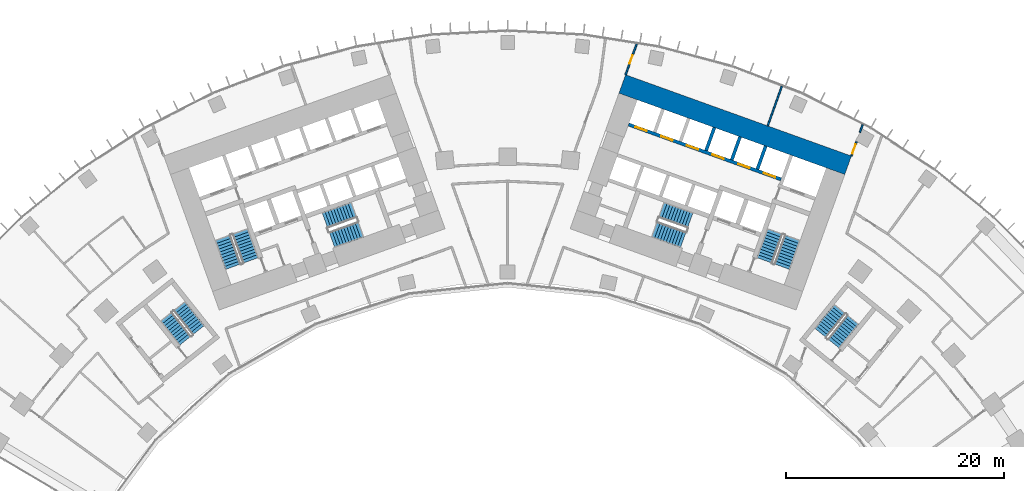
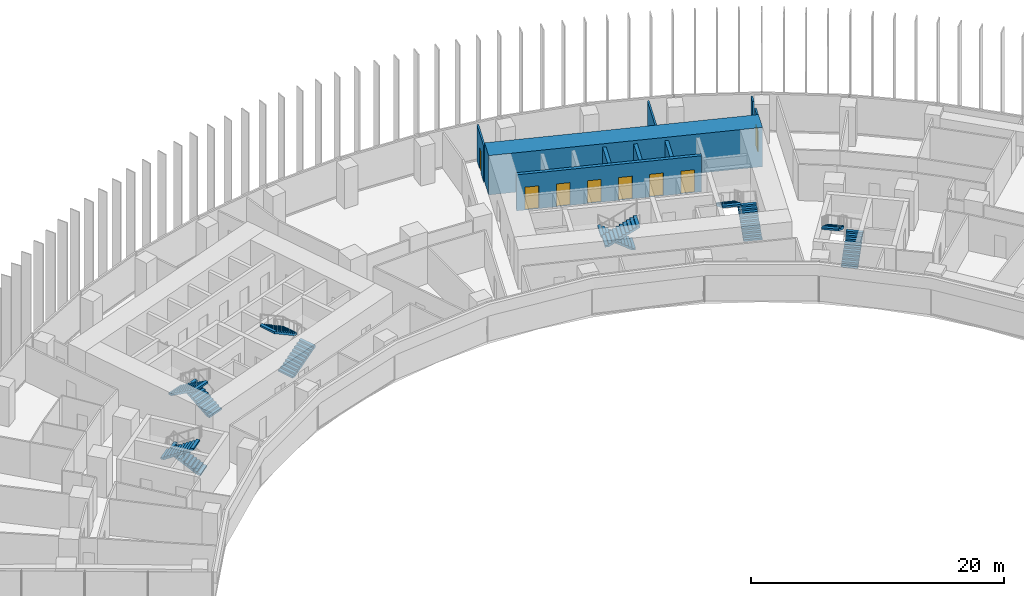
# One storey, part 22 of 24: 12 stair flights, 9 walls, 8 doors, 8 openings, 6 elements without a shape of their own.
"""IFC4 building model written with IfcOpenShell, lengths in metres."""

from ifc_helpers import new_model, si_unit, direction, frame, frame_2d, origin, place, context, subcontext, project, spatial, polyline, rectangle, outline, extrude, material, layer, layer_set, type_object, element, fill, aggregate, save


model = new_model("IFC4")

# Units and contexts
model_context = context("Model", 3, precision=1e-05, world=origin(), true_north=direction((0.0, 1.0)))
body_context = subcontext(model_context, "Body", "Model", "MODEL_VIEW")
ifc_project = project(units=[si_unit("LENGTHUNIT", "METRE"), si_unit("AREAUNIT", "SQUARE_METRE"), si_unit("VOLUMEUNIT", "CUBIC_METRE"), si_unit("PLANEANGLEUNIT", "RADIAN"), si_unit("MASSUNIT", "GRAM", prefix="KILO")], contexts=[model_context])

# Site, building, storey
site_placement = place(None, origin())
site = spatial("IfcSite", under=ifc_project, at=site_placement, CompositionType="ELEMENT")
building_placement = place(site_placement, origin())
building = spatial("IfcBuilding", under=site, at=building_placement, Name="Stone Belt Terrace Tower", CompositionType="ELEMENT")
storey_placement = place(building_placement, frame((0.0, 0.0, 41.39990234375)))
storey = spatial("IfcBuildingStorey", under=building, at=storey_placement, Name="L09", CompositionType="ELEMENT", Elevation=41.39990234375)

# Wall
ifc_material_1 = material(Name="Concrete B80", Category="concrete")
ifc_layer_1 = layer(ifc_material_1, 1.800048828125)
ifc_layer_set_1 = layer_set([ifc_layer_1], Name="Core wall 1800 B80")
wall_type_1 = type_object("IfcWallType", Name="Core wall 1800 B80", PredefinedType="SHEAR", material=ifc_layer_set_1)
wall_1_placement = place(storey_placement, frame((10.509033203125, 61.685546875, 0.0), z_axis=(0.0, 0.0, 1.0), x_axis=(0.940922914687, -0.338620833112, 0.0)))
element("IfcWall", 1, at=wall_1_placement, inside=storey, type_object=wall_type_1, Name="Core B wall convex L09", PredefinedType="SHEAR", context=body_context, shape_type="SweptSolid", body=[
    extrude(rectangle(XDim=22.000244140625, YDim=1.800048828125, at=frame_2d((11.0, 0.0))), origin(), (0.0, 0.0, 1.0), 3.800048828125),
])

# Wall, openings, doors
ifc_layer_2 = layer(ifc_material_1, 0.300048828125)
ifc_layer_set_2 = layer_set([ifc_layer_2], Name="Lift shaft wall 300")
wall_type_2 = type_object("IfcWallType", Name="Lift shaft wall 300", PredefinedType="SHEAR", material=ifc_layer_set_2)
wall_2_placement = place(storey_placement, frame((25.05810546875, 52.9423828125, 0.0), z_axis=(0.0, 0.0, 1.0), x_axis=(-0.940918215764, 0.338633889685, 0.0)))
wall_2 = element("IfcWall", 2, at=wall_2_placement, inside=storey, type_object=wall_type_2, Name="Core B wall", PredefinedType="SHEAR", context=body_context, shape_type="SweptSolid", body=[
    extrude(rectangle(XDim=14.850341796875, YDim=0.300048828125, at=frame_2d((7.42529296875, 0.0))), origin(), (0.0, 0.0, 1.0), 3.47998046875),
])
opening_1_placement = place(wall_2_placement, frame((0.570068359375, 0.0, 0.0)))
opening_1 = element("IfcOpeningElement", 3, at=opening_1_placement, cuts=wall_2, Name="Opening L09-LD10", PredefinedType="OPENING", context=body_context, shape_type="SweptSolid", body=[
    extrude(rectangle(XDim=1.10009765625, YDim=2.199951171875, at=frame_2d((0.550048828125, 1.10009765625))), frame((0.0, 0.159912109375, 0.0), z_axis=(0.0, -1.0, 0.0), x_axis=(1.0, 0.0, 0.0)), (0.0, 0.0, 1.0), 0.320068359375),
])
opening_2_placement = place(wall_2_placement, frame((3.070068359375, 0.0, 0.0)))
opening_2 = element("IfcOpeningElement", 4, at=opening_2_placement, cuts=wall_2, Name="Opening L09-LD11", PredefinedType="OPENING", context=body_context, shape_type="SweptSolid", body=[
    extrude(rectangle(XDim=1.10009765625, YDim=2.199951171875, at=frame_2d((0.550048828125, 1.10009765625))), frame((0.0, 0.159912109375, 0.0), z_axis=(0.0, -1.0, 0.0), x_axis=(1.0, 0.0, 0.0)), (0.0, 0.0, 1.0), 0.320068359375),
])
opening_3_placement = place(wall_2_placement, frame((5.570068359375, 0.0, 0.0)))
opening_3 = element("IfcOpeningElement", 5, at=opening_3_placement, cuts=wall_2, Name="Opening L09-LD12", PredefinedType="OPENING", context=body_context, shape_type="SweptSolid", body=[
    extrude(rectangle(XDim=1.10009765625, YDim=2.199951171875, at=frame_2d((0.550048828125, 1.10009765625))), frame((0.0, 0.159912109375, 0.0), z_axis=(0.0, -1.0, 0.0), x_axis=(1.0, 0.0, 0.0)), (0.0, 0.0, 1.0), 0.320068359375),
])
opening_4_placement = place(wall_2_placement, frame((8.070068359375, 0.0, 0.0)))
opening_4 = element("IfcOpeningElement", 6, at=opening_4_placement, cuts=wall_2, Name="Opening L09-LD13", PredefinedType="OPENING", context=body_context, shape_type="SweptSolid", body=[
    extrude(rectangle(XDim=1.10009765625, YDim=2.199951171875, at=frame_2d((0.550048828125, 1.10009765625))), frame((0.0, 0.159912109375, 0.0), z_axis=(0.0, -1.0, 0.0), x_axis=(1.0, 0.0, 0.0)), (0.0, 0.0, 1.0), 0.320068359375),
])
opening_5_placement = place(wall_2_placement, frame((10.570068359375, 0.0, 0.0)))
opening_5 = element("IfcOpeningElement", 7, at=opening_5_placement, cuts=wall_2, Name="Opening L09-LD14", PredefinedType="OPENING", context=body_context, shape_type="SweptSolid", body=[
    extrude(rectangle(XDim=1.10009765625, YDim=2.199951171875, at=frame_2d((0.550048828125, 1.10009765625))), frame((0.0, 0.159912109375, 0.0), z_axis=(0.0, -1.0, 0.0), x_axis=(1.0, 0.0, 0.0)), (0.0, 0.0, 1.0), 0.320068359375),
])
opening_6_placement = place(wall_2_placement, frame((13.070068359375, 0.0, 0.0)))
opening_6 = element("IfcOpeningElement", 8, at=opening_6_placement, cuts=wall_2, Name="Opening L09-LD15", PredefinedType="OPENING", context=body_context, shape_type="SweptSolid", body=[
    extrude(rectangle(XDim=1.10009765625, YDim=2.199951171875, at=frame_2d((0.550048828125, 1.10009765625))), frame((0.0, 0.159912109375, 0.0), z_axis=(0.0, -1.0, 0.0), x_axis=(1.0, 0.0, 0.0)), (0.0, 0.0, 1.0), 0.320068359375),
])
ifc_material_2 = material(Name="Stainless steel door leaf", Category="steel")
door_type_1 = type_object("IfcDoorType", Name="Landing door 1100", OperationType="SLIDING_TO_LEFT", PredefinedType="DOOR", material=ifc_material_2)
door_1_placement = place(opening_1_placement, origin())
door_1 = element("IfcDoor", 9, at=door_1_placement, inside=storey, type_object=door_type_1, Name="Landing door LR1 core B", OperationType="SLIDING_TO_LEFT", OverallHeight=2.199951171875, OverallWidth=1.10009765625, PredefinedType="DOOR", context=body_context, shape_type="SweptSolid", body=[
    extrude(rectangle(XDim=1.10009765625, YDim=2.199951171875, at=frame_2d((0.550048828125, 1.10009765625))), frame((0.0, 0.02490234375, 0.0), z_axis=(0.0, -1.0, 0.0), x_axis=(1.0, 0.0, 0.0)), (0.0, 0.0, 1.0), 0.050048828125),
])
fill(opening_1, door_1)
door_2_placement = place(opening_2_placement, origin())
door_2 = element("IfcDoor", 10, at=door_2_placement, inside=storey, type_object=door_type_1, Name="Landing door LR2 core B", OperationType="SLIDING_TO_LEFT", OverallHeight=2.199951171875, OverallWidth=1.10009765625, PredefinedType="DOOR", context=body_context, shape_type="SweptSolid", body=[
    extrude(rectangle(XDim=1.10009765625, YDim=2.199951171875, at=frame_2d((0.550048828125, 1.10009765625))), frame((0.0, 0.02490234375, 0.0), z_axis=(0.0, -1.0, 0.0), x_axis=(1.0, 0.0, 0.0)), (0.0, 0.0, 1.0), 0.050048828125),
])
fill(opening_2, door_2)
door_3_placement = place(opening_3_placement, origin())
door_3 = element("IfcDoor", 11, at=door_3_placement, inside=storey, type_object=door_type_1, Name="Landing door LR3 core B", OperationType="SLIDING_TO_LEFT", OverallHeight=2.199951171875, OverallWidth=1.10009765625, PredefinedType="DOOR", context=body_context, shape_type="SweptSolid", body=[
    extrude(rectangle(XDim=1.10009765625, YDim=2.199951171875, at=frame_2d((0.550048828125, 1.10009765625))), frame((0.0, 0.02490234375, 0.0), z_axis=(0.0, -1.0, 0.0), x_axis=(1.0, 0.0, 0.0)), (0.0, 0.0, 1.0), 0.050048828125),
])
fill(opening_3, door_3)
door_4_placement = place(opening_4_placement, origin())
door_4 = element("IfcDoor", 12, at=door_4_placement, inside=storey, type_object=door_type_1, Name="Landing door LR4 core B", OperationType="SLIDING_TO_LEFT", OverallHeight=2.199951171875, OverallWidth=1.10009765625, PredefinedType="DOOR", context=body_context, shape_type="SweptSolid", body=[
    extrude(rectangle(XDim=1.10009765625, YDim=2.199951171875, at=frame_2d((0.550048828125, 1.10009765625))), frame((0.0, 0.02490234375, 0.0), z_axis=(0.0, -1.0, 0.0), x_axis=(1.0, 0.0, 0.0)), (0.0, 0.0, 1.0), 0.050048828125),
])
fill(opening_4, door_4)
door_5_placement = place(opening_5_placement, origin())
door_5 = element("IfcDoor", 13, at=door_5_placement, inside=storey, type_object=door_type_1, Name="Landing door LR5 core B", OperationType="SLIDING_TO_LEFT", OverallHeight=2.199951171875, OverallWidth=1.10009765625, PredefinedType="DOOR", context=body_context, shape_type="SweptSolid", body=[
    extrude(rectangle(XDim=1.10009765625, YDim=2.199951171875, at=frame_2d((0.550048828125, 1.10009765625))), frame((0.0, 0.02490234375, 0.0), z_axis=(0.0, -1.0, 0.0), x_axis=(1.0, 0.0, 0.0)), (0.0, 0.0, 1.0), 0.050048828125),
])
fill(opening_5, door_5)
door_6_placement = place(opening_6_placement, origin())
door_6 = element("IfcDoor", 14, at=door_6_placement, inside=storey, type_object=door_type_1, Name="Landing door LR6 core B", OperationType="SLIDING_TO_LEFT", OverallHeight=2.199951171875, OverallWidth=1.10009765625, PredefinedType="DOOR", context=body_context, shape_type="SweptSolid", body=[
    extrude(rectangle(XDim=1.10009765625, YDim=2.199951171875, at=frame_2d((0.550048828125, 1.10009765625))), frame((0.0, 0.02490234375, 0.0), z_axis=(0.0, -1.0, 0.0), x_axis=(1.0, 0.0, 0.0)), (0.0, 0.0, 1.0), 0.050048828125),
])
fill(opening_6, door_6)

# Walls
wall_3_placement = place(storey_placement, frame((22.897705078125, 53.87939453125, 0.0), z_axis=(0.0, 0.0, 1.0), x_axis=(0.338535034312, 0.940953787677, 0.0)))
element("IfcWall", 15, at=wall_3_placement, inside=storey, type_object=wall_type_2, Name="Core B wall", PredefinedType="SHEAR", context=body_context, shape_type="SweptSolid", body=[
    extrude(rectangle(XDim=2.25, YDim=0.300048828125, at=frame_2d((1.125, 0.0))), origin(), (0.0, 0.0, 1.0), 3.47998046875),
])
wall_4_placement = place(storey_placement, frame((20.54541015625, 54.72607421875, 0.0), z_axis=(0.0, 0.0, 1.0), x_axis=(0.338569601369, 0.940941350472, 0.0)))
element("IfcWall", 16, at=wall_4_placement, inside=storey, type_object=wall_type_2, Name="Core B wall", PredefinedType="SHEAR", context=body_context, shape_type="SweptSolid", body=[
    extrude(rectangle(XDim=2.249755859375, YDim=0.300048828125, at=frame_2d((1.125, 0.0))), origin(), (0.0, 0.0, 1.0), 3.47998046875),
])
wall_5_placement = place(storey_placement, frame((18.193115234375, 55.572509765625, 0.0), z_axis=(0.0, 0.0, 1.0), x_axis=(0.338535034312, 0.940953787677, 0.0)))
element("IfcWall", 17, at=wall_5_placement, inside=storey, type_object=wall_type_2, Name="Core B wall", PredefinedType="SHEAR", context=body_context, shape_type="SweptSolid", body=[
    extrude(rectangle(XDim=2.25, YDim=0.300048828125, at=frame_2d((1.125, 0.0))), origin(), (0.0, 0.0, 1.0), 3.47998046875),
])

# Wall, opening, door
ifc_material_3 = material(Name="Gypsum board partition")
ifc_layer_3 = layer(ifc_material_3, 0.14990234375)
ifc_layer_set_3 = layer_set([ifc_layer_3], Name="PARTITION 150 EI 60")
wall_type_3 = type_object("IfcWallType", Name="PARTITION 150 EI 60", PredefinedType="PARTITIONING", material=ifc_layer_set_3)
wall_6_placement = place(storey_placement, frame((11.831787109375, 65.360107421875, 0.0), z_axis=(0.0, 0.0, 1.0), x_axis=(-0.338630302468, -0.940919506786, 0.0)))
wall_6 = element("IfcWall", 18, at=wall_6_placement, inside=storey, type_object=wall_type_3, Name="L09/wall/i017", PredefinedType="PARTITIONING", context=body_context, shape_type="SweptSolid", body=[
    extrude(rectangle(XDim=3.005615234375, YDim=0.14990234375, at=frame_2d((1.5029296875, 0.0))), origin(), (0.0, 0.0, 1.0), 3.47998046875),
])
opening_7_placement = place(wall_6_placement, frame((1.102783203125, 0.0, 0.0)))
opening_7 = element("IfcOpeningElement", 19, at=opening_7_placement, cuts=wall_6, Name="Opening D-A2-09", PredefinedType="OPENING", context=body_context, shape_type="SweptSolid", body=[
    extrude(rectangle(XDim=0.800048828125, YDim=2.10009765625, at=frame_2d((0.39990234375, 1.050048828125))), frame((0.0, 0.0849609375, 0.0), z_axis=(0.0, -1.0, 0.0), x_axis=(1.0, 0.0, 0.0)), (0.0, 0.0, 1.0), 0.169921875),
])
ifc_material_4 = material(Name="Timber door leaf", Category="wood")
door_type_2 = type_object("IfcDoorType", Name="STORE DOOR 800 X 2100", OperationType="NOTDEFINED", PredefinedType="DOOR", material=ifc_material_4)
door_7_placement = place(opening_7_placement, origin())
door_7 = element("IfcDoor", 20, at=door_7_placement, inside=storey, type_object=door_type_2, Name="L09/door/i09", OperationType="SINGLE_SWING_RIGHT", OverallHeight=2.10009765625, OverallWidth=0.800048828125, PredefinedType="DOOR", context=body_context, shape_type="SweptSolid", body=[
    extrude(rectangle(XDim=0.800048828125, YDim=2.10009765625, at=frame_2d((0.39990234375, 1.050048828125))), frame((0.0, 0.02490234375, 0.0), z_axis=(0.0, -1.0, 0.0), x_axis=(1.0, 0.0, 0.0)), (0.0, 0.0, 1.0), 0.050048828125),
])
fill(opening_7, door_7)

wall_7_placement = place(storey_placement, frame((31.513916015625, 55.0830078125, 0.0), z_axis=(0.0, 0.0, 1.0), x_axis=(0.338861945182, 0.940836107995, 0.0)))
wall_7 = element("IfcWall", 21, at=wall_7_placement, inside=storey, type_object=wall_type_3, Name="L09/wall/i022", PredefinedType="PARTITIONING", context=body_context, shape_type="SweptSolid", body=[
    extrude(rectangle(XDim=1.3955078125, YDim=0.14990234375, at=frame_2d((0.69775390625, 0.0))), origin(), (0.0, 0.0, 1.0), 3.47998046875),
])
opening_8_placement = place(wall_7_placement, frame((0.247802734375, 0.0, 0.0)))
opening_8 = element("IfcOpeningElement", 22, at=opening_8_placement, cuts=wall_7, Name="Opening D-A2-10", PredefinedType="OPENING", context=body_context, shape_type="SweptSolid", body=[
    extrude(rectangle(XDim=0.89990234375, YDim=2.10009765625, at=frame_2d((0.449951171875, 1.050048828125))), frame((0.0, 0.0849609375, 0.0), z_axis=(0.0, -1.0, 0.0), x_axis=(1.0, 0.0, 0.0)), (0.0, 0.0, 1.0), 0.169921875),
])
door_type_3 = type_object("IfcDoorType", Name="OFFICE DOOR 900 X 2100", OperationType="NOTDEFINED", PredefinedType="DOOR", material=ifc_material_4)
door_8_placement = place(opening_8_placement, origin())
door_8 = element("IfcDoor", 23, at=door_8_placement, inside=storey, type_object=door_type_3, Name="L09/door/i10", OperationType="SINGLE_SWING_RIGHT", OverallHeight=2.10009765625, OverallWidth=0.89990234375, PredefinedType="DOOR", context=body_context, shape_type="SweptSolid", body=[
    extrude(rectangle(XDim=0.89990234375, YDim=2.10009765625, at=frame_2d((0.449951171875, 1.050048828125))), frame((0.0, 0.02490234375, 0.0), z_axis=(0.0, -1.0, 0.0), x_axis=(1.0, 0.0, 0.0)), (0.0, 0.0, 1.0), 0.050048828125),
])
fill(opening_8, door_8)

# Walls
wall_8_placement = place(storey_placement, frame((32.290283203125, 57.238525390625, 0.0), z_axis=(0.0, 0.0, 1.0), x_axis=(0.338960201827, 0.940800712998, 0.0)))
element("IfcWall", 24, at=wall_8_placement, inside=storey, type_object=wall_type_3, Name="L09/wall/i023", PredefinedType="PARTITIONING", context=body_context, shape_type="SweptSolid", body=[
    extrude(rectangle(XDim=0.754150390625, YDim=0.14990234375, at=frame_2d((0.376953125, 0.0))), origin(), (0.0, 0.0, 1.0), 3.47998046875),
])
wall_9_placement = place(storey_placement, frame((25.144775390625, 61.481201171875, 0.0), z_axis=(0.0, 0.0, 1.0), x_axis=(-0.338529253346, -0.940955867524, 0.0)))
element("IfcWall", 25, at=wall_9_placement, inside=storey, type_object=wall_type_3, Name="L09/wall/i033", PredefinedType="PARTITIONING", context=body_context, shape_type="SweptSolid", body=[
    extrude(rectangle(XDim=3.86328125, YDim=0.14990234375, at=frame_2d((1.931640625, 0.0))), origin(), (0.0, 0.0, 1.0), 3.47998046875),
])

# Stair, stair flights
ifc_material_5 = material(Name="Concrete B40", Category="concrete")
stair_type = type_object("IfcStairType", Name="Exit stair 1500", PredefinedType="HALF_TURN_STAIR", material=ifc_material_5)
stair_1_placement = place(storey_placement, origin())
stair_1 = element("IfcStair", 26, at=stair_1_placement, inside=storey, type_object=stair_type, Name="L09 Exit stair 1 core A", PredefinedType="HALF_TURN_STAIR")
stair_flight_type = type_object("IfcStairFlightType", Name="Stair flight 1500", PredefinedType="STRAIGHT", material=ifc_material_5)
stair_flight_1_placement = place(storey_placement, frame((-23.55322265625, 45.51318359375, 0.0), z_axis=(0.0, 0.0, 1.0), x_axis=(-0.338624396177, 0.940921632398, 0.0)))
stair_flight_1 = element("IfcStairFlight", 27, at=stair_flight_1_placement, type_object=stair_flight_type, Name="ST1A flight 1", NumberOfRisers=11, NumberOfTreads=10, PredefinedType="STRAIGHT", RiserHeight=0.172727273, TreadLength=0.28, context=body_context, shape_type="SweptSolid", body=[
    extrude(outline(polyline([(0.0, 0.0), (0.0, 0.172607421875), (0.280029296875, 0.172607421875), (0.280029296875, 0.345458984375), (0.56005859375, 0.345458984375), (0.56005859375, 0.51806640625), (0.840087890625, 0.51806640625), (0.840087890625, 0.69091796875), (1.1201171875, 0.69091796875), (1.1201171875, 0.863525390625), (1.39990234375, 0.863525390625), (1.39990234375, 1.036376953125), (1.679931640625, 1.036376953125), (1.679931640625, 1.208984375), (1.9599609375, 1.208984375), (1.9599609375, 1.3818359375), (2.239990234375, 1.3818359375), (2.239990234375, 1.554443359375), (2.52001953125, 1.554443359375), (2.52001953125, 1.727294921875), (2.800048828125, 1.727294921875), (2.800048828125, 1.89990234375), (2.800048828125, 1.551025390625), (0.285400390625, 0.0), (0.0, 0.0)])), frame((0.0, 0.75, 0.0), z_axis=(0.0, -1.0, 0.0), x_axis=(1.0, 0.0, 0.0)), (0.0, 0.0, 1.0), 1.5),
])
stair_flight_2_placement = place(storey_placement, frame((-26.10107421875, 47.572021484375, 1.900146484375), z_axis=(0.0, 0.0, 1.0), x_axis=(0.338624396177, -0.940921632398, 0.0)))
stair_flight_2 = element("IfcStairFlight", 28, at=stair_flight_2_placement, type_object=stair_flight_type, Name="ST1A flight 2", NumberOfRisers=11, NumberOfTreads=10, PredefinedType="STRAIGHT", RiserHeight=0.172727273, TreadLength=0.28, context=body_context, shape_type="SweptSolid", body=[
    extrude(outline(polyline([(0.0, 0.0), (0.0, 0.172607421875), (0.280029296875, 0.172607421875), (0.280029296875, 0.345458984375), (0.56005859375, 0.345458984375), (0.56005859375, 0.51806640625), (0.840087890625, 0.51806640625), (0.840087890625, 0.69091796875), (1.1201171875, 0.69091796875), (1.1201171875, 0.863525390625), (1.39990234375, 0.863525390625), (1.39990234375, 1.036376953125), (1.679931640625, 1.036376953125), (1.679931640625, 1.208984375), (1.9599609375, 1.208984375), (1.9599609375, 1.3818359375), (2.239990234375, 1.3818359375), (2.239990234375, 1.554443359375), (2.52001953125, 1.554443359375), (2.52001953125, 1.727294921875), (2.800048828125, 1.727294921875), (2.800048828125, 1.89990234375), (2.800048828125, 1.551025390625), (0.285400390625, 0.0), (0.0, 0.0)])), frame((0.0, 0.75, 0.0), z_axis=(0.0, -1.0, 0.0), x_axis=(1.0, 0.0, 0.0)), (0.0, 0.0, 1.0), 1.5),
])
aggregate(stair_1, [stair_flight_1, stair_flight_2])

stair_2_placement = place(storey_placement, origin())
stair_2 = element("IfcStair", 29, at=stair_2_placement, inside=storey, type_object=stair_type, Name="L09 Exit stair 2 core A", PredefinedType="HALF_TURN_STAIR")
stair_flight_3_placement = place(storey_placement, frame((-16.101318359375, 47.39794921875, 0.0), z_axis=(0.0, 0.0, 1.0), x_axis=(0.940921632398, 0.338624396177, 0.0)))
stair_flight_3 = element("IfcStairFlight", 30, at=stair_flight_3_placement, type_object=stair_flight_type, Name="ST2A flight 1", NumberOfRisers=11, NumberOfTreads=10, PredefinedType="STRAIGHT", RiserHeight=0.172727273, TreadLength=0.28, context=body_context, shape_type="SweptSolid", body=[
    extrude(outline(polyline([(0.0, 0.0), (0.0, 0.172607421875), (0.280029296875, 0.172607421875), (0.280029296875, 0.345458984375), (0.56005859375, 0.345458984375), (0.56005859375, 0.51806640625), (0.840087890625, 0.51806640625), (0.840087890625, 0.69091796875), (1.1201171875, 0.69091796875), (1.1201171875, 0.863525390625), (1.39990234375, 0.863525390625), (1.39990234375, 1.036376953125), (1.679931640625, 1.036376953125), (1.679931640625, 1.208984375), (1.9599609375, 1.208984375), (1.9599609375, 1.3818359375), (2.239990234375, 1.3818359375), (2.239990234375, 1.554443359375), (2.52001953125, 1.554443359375), (2.52001953125, 1.727294921875), (2.800048828125, 1.727294921875), (2.800048828125, 1.89990234375), (2.800048828125, 1.551025390625), (0.285400390625, 0.0), (0.0, 0.0)])), frame((0.0, 0.75, 0.0), z_axis=(0.0, -1.0, 0.0), x_axis=(1.0, 0.0, 0.0)), (0.0, 0.0, 1.0), 1.5),
])
stair_flight_4_placement = place(storey_placement, frame((-14.110107421875, 50.1337890625, 1.900146484375), z_axis=(0.0, 0.0, 1.0), x_axis=(-0.940921632398, -0.338624396177, 0.0)))
stair_flight_4 = element("IfcStairFlight", 31, at=stair_flight_4_placement, type_object=stair_flight_type, Name="ST2A flight 2", NumberOfRisers=11, NumberOfTreads=10, PredefinedType="STRAIGHT", RiserHeight=0.172727273, TreadLength=0.28, context=body_context, shape_type="SweptSolid", body=[
    extrude(outline(polyline([(0.0, 0.0), (0.0, 0.172607421875), (0.280029296875, 0.172607421875), (0.280029296875, 0.345458984375), (0.56005859375, 0.345458984375), (0.56005859375, 0.51806640625), (0.840087890625, 0.51806640625), (0.840087890625, 0.69091796875), (1.1201171875, 0.69091796875), (1.1201171875, 0.863525390625), (1.39990234375, 0.863525390625), (1.39990234375, 1.036376953125), (1.679931640625, 1.036376953125), (1.679931640625, 1.208984375), (1.9599609375, 1.208984375), (1.9599609375, 1.3818359375), (2.239990234375, 1.3818359375), (2.239990234375, 1.554443359375), (2.52001953125, 1.554443359375), (2.52001953125, 1.727294921875), (2.800048828125, 1.727294921875), (2.800048828125, 1.89990234375), (2.800048828125, 1.551025390625), (0.285400390625, 0.0), (0.0, 0.0)])), frame((0.0, 0.75, 0.0), z_axis=(0.0, -1.0, 0.0), x_axis=(1.0, 0.0, 0.0)), (0.0, 0.0, 1.0), 1.5),
])
aggregate(stair_2, [stair_flight_3, stair_flight_4])

stair_3_placement = place(storey_placement, origin())
stair_3 = element("IfcStair", 32, at=stair_3_placement, inside=storey, type_object=stair_type, Name="L09 Exit stair 1 core B", PredefinedType="HALF_TURN_STAIR")
stair_flight_5_placement = place(storey_placement, frame((25.15283203125, 44.9375, 0.0), z_axis=(0.0, 0.0, 1.0), x_axis=(0.338624396177, 0.940921632398, 0.0)))
stair_flight_5 = element("IfcStairFlight", 33, at=stair_flight_5_placement, type_object=stair_flight_type, Name="ST1B flight 1", NumberOfRisers=11, NumberOfTreads=10, PredefinedType="STRAIGHT", RiserHeight=0.172727273, TreadLength=0.28, context=body_context, shape_type="SweptSolid", body=[
    extrude(outline(polyline([(0.0, 0.0), (0.0, 0.172607421875), (0.280029296875, 0.172607421875), (0.280029296875, 0.345458984375), (0.56005859375, 0.345458984375), (0.56005859375, 0.51806640625), (0.840087890625, 0.51806640625), (0.840087890625, 0.69091796875), (1.1201171875, 0.69091796875), (1.1201171875, 0.863525390625), (1.39990234375, 0.863525390625), (1.39990234375, 1.036376953125), (1.679931640625, 1.036376953125), (1.679931640625, 1.208984375), (1.9599609375, 1.208984375), (1.9599609375, 1.3818359375), (2.239990234375, 1.3818359375), (2.239990234375, 1.554443359375), (2.52001953125, 1.554443359375), (2.52001953125, 1.727294921875), (2.800048828125, 1.727294921875), (2.800048828125, 1.89990234375), (2.800048828125, 1.551025390625), (0.285400390625, 0.0), (0.0, 0.0)])), frame((0.0, 0.75, 0.0), z_axis=(0.0, -1.0, 0.0), x_axis=(1.0, 0.0, 0.0)), (0.0, 0.0, 1.0), 1.5),
])
stair_flight_6_placement = place(storey_placement, frame((24.50146484375, 48.147705078125, 1.900146484375), z_axis=(0.0, 0.0, 1.0), x_axis=(-0.338624396177, -0.940921632398, 0.0)))
stair_flight_6 = element("IfcStairFlight", 34, at=stair_flight_6_placement, type_object=stair_flight_type, Name="ST1B flight 2", NumberOfRisers=11, NumberOfTreads=10, PredefinedType="STRAIGHT", RiserHeight=0.172727273, TreadLength=0.28, context=body_context, shape_type="SweptSolid", body=[
    extrude(outline(polyline([(0.0, 0.0), (0.0, 0.172607421875), (0.280029296875, 0.172607421875), (0.280029296875, 0.345458984375), (0.56005859375, 0.345458984375), (0.56005859375, 0.51806640625), (0.840087890625, 0.51806640625), (0.840087890625, 0.69091796875), (1.1201171875, 0.69091796875), (1.1201171875, 0.863525390625), (1.39990234375, 0.863525390625), (1.39990234375, 1.036376953125), (1.679931640625, 1.036376953125), (1.679931640625, 1.208984375), (1.9599609375, 1.208984375), (1.9599609375, 1.3818359375), (2.239990234375, 1.3818359375), (2.239990234375, 1.554443359375), (2.52001953125, 1.554443359375), (2.52001953125, 1.727294921875), (2.800048828125, 1.727294921875), (2.800048828125, 1.89990234375), (2.800048828125, 1.551025390625), (0.285400390625, 0.0), (0.0, 0.0)])), frame((0.0, 0.75, 0.0), z_axis=(0.0, -1.0, 0.0), x_axis=(1.0, 0.0, 0.0)), (0.0, 0.0, 1.0), 1.5),
])
aggregate(stair_3, [stair_flight_5, stair_flight_6])

stair_4_placement = place(storey_placement, origin())
stair_4 = element("IfcStair", 35, at=stair_4_placement, inside=storey, type_object=stair_type, Name="L09 Exit stair 2 core B", PredefinedType="HALF_TURN_STAIR")
stair_flight_7_placement = place(storey_placement, frame((16.74462890625, 49.185546875, 0.0), z_axis=(0.0, 0.0, 1.0), x_axis=(-0.940921632398, 0.338624396177, 0.0)))
stair_flight_7 = element("IfcStairFlight", 36, at=stair_flight_7_placement, type_object=stair_flight_type, Name="ST2B flight 1", NumberOfRisers=11, NumberOfTreads=10, PredefinedType="STRAIGHT", RiserHeight=0.172727273, TreadLength=0.28, context=body_context, shape_type="SweptSolid", body=[
    extrude(outline(polyline([(0.0, 0.0), (0.0, 0.172607421875), (0.280029296875, 0.172607421875), (0.280029296875, 0.345458984375), (0.56005859375, 0.345458984375), (0.56005859375, 0.51806640625), (0.840087890625, 0.51806640625), (0.840087890625, 0.69091796875), (1.1201171875, 0.69091796875), (1.1201171875, 0.863525390625), (1.39990234375, 0.863525390625), (1.39990234375, 1.036376953125), (1.679931640625, 1.036376953125), (1.679931640625, 1.208984375), (1.9599609375, 1.208984375), (1.9599609375, 1.3818359375), (2.239990234375, 1.3818359375), (2.239990234375, 1.554443359375), (2.52001953125, 1.554443359375), (2.52001953125, 1.727294921875), (2.800048828125, 1.727294921875), (2.800048828125, 1.89990234375), (2.800048828125, 1.551025390625), (0.285400390625, 0.0), (0.0, 0.0)])), frame((0.0, 0.75, 0.0), z_axis=(0.0, -1.0, 0.0), x_axis=(1.0, 0.0, 0.0)), (0.0, 0.0, 1.0), 1.5),
])
stair_flight_8_placement = place(storey_placement, frame((13.466796875, 48.345947265625, 1.900146484375), z_axis=(0.0, 0.0, 1.0), x_axis=(0.940921632398, -0.338624396177, 0.0)))
stair_flight_8 = element("IfcStairFlight", 37, at=stair_flight_8_placement, type_object=stair_flight_type, Name="ST2B flight 2", NumberOfRisers=11, NumberOfTreads=10, PredefinedType="STRAIGHT", RiserHeight=0.172727273, TreadLength=0.28, context=body_context, shape_type="SweptSolid", body=[
    extrude(outline(polyline([(0.0, 0.0), (0.0, 0.172607421875), (0.280029296875, 0.172607421875), (0.280029296875, 0.345458984375), (0.56005859375, 0.345458984375), (0.56005859375, 0.51806640625), (0.840087890625, 0.51806640625), (0.840087890625, 0.69091796875), (1.1201171875, 0.69091796875), (1.1201171875, 0.863525390625), (1.39990234375, 0.863525390625), (1.39990234375, 1.036376953125), (1.679931640625, 1.036376953125), (1.679931640625, 1.208984375), (1.9599609375, 1.208984375), (1.9599609375, 1.3818359375), (2.239990234375, 1.3818359375), (2.239990234375, 1.554443359375), (2.52001953125, 1.554443359375), (2.52001953125, 1.727294921875), (2.800048828125, 1.727294921875), (2.800048828125, 1.89990234375), (2.800048828125, 1.551025390625), (0.285400390625, 0.0), (0.0, 0.0)])), frame((0.0, 0.75, 0.0), z_axis=(0.0, -1.0, 0.0), x_axis=(1.0, 0.0, 0.0)), (0.0, 0.0, 1.0), 1.5),
])
aggregate(stair_4, [stair_flight_7, stair_flight_8])

stair_5_placement = place(storey_placement, origin())
stair_5 = element("IfcStair", 38, at=stair_5_placement, inside=storey, type_object=stair_type, Name="L09 Exit stair 3A", PredefinedType="HALF_TURN_STAIR")
stair_flight_9_placement = place(storey_placement, frame((-28.325439453125, 39.1240234375, 0.0), z_axis=(0.0, 0.0, 1.0), x_axis=(-0.623121363691, 0.782125160132, 0.0)))
stair_flight_9 = element("IfcStairFlight", 39, at=stair_flight_9_placement, type_object=stair_flight_type, Name="ST3A flight 1", NumberOfRisers=11, NumberOfTreads=10, PredefinedType="STRAIGHT", RiserHeight=0.172727273, TreadLength=0.28, context=body_context, shape_type="SweptSolid", body=[
    extrude(outline(polyline([(0.0, 0.0), (0.0, 0.172607421875), (0.280029296875, 0.172607421875), (0.280029296875, 0.345458984375), (0.56005859375, 0.345458984375), (0.56005859375, 0.51806640625), (0.840087890625, 0.51806640625), (0.840087890625, 0.69091796875), (1.1201171875, 0.69091796875), (1.1201171875, 0.863525390625), (1.39990234375, 0.863525390625), (1.39990234375, 1.036376953125), (1.679931640625, 1.036376953125), (1.679931640625, 1.208984375), (1.9599609375, 1.208984375), (1.9599609375, 1.3818359375), (2.239990234375, 1.3818359375), (2.239990234375, 1.554443359375), (2.52001953125, 1.554443359375), (2.52001953125, 1.727294921875), (2.800048828125, 1.727294921875), (2.800048828125, 1.89990234375), (2.800048828125, 1.551025390625), (0.285400390625, 0.0), (0.0, 0.0)])), frame((0.0, 0.675048828125, 0.0), z_axis=(0.0, -1.0, 0.0), x_axis=(1.0, 0.0, 0.0)), (0.0, 0.0, 1.0), 1.35009765625),
])
stair_flight_10_placement = place(storey_placement, frame((-31.282470703125, 40.34814453125, 1.900146484375), z_axis=(0.0, 0.0, 1.0), x_axis=(0.623121363691, -0.782125160132, 0.0)))
stair_flight_10 = element("IfcStairFlight", 40, at=stair_flight_10_placement, type_object=stair_flight_type, Name="ST3A flight 2", NumberOfRisers=11, NumberOfTreads=10, PredefinedType="STRAIGHT", RiserHeight=0.172727273, TreadLength=0.28, context=body_context, shape_type="SweptSolid", body=[
    extrude(outline(polyline([(0.0, 0.0), (0.0, 0.172607421875), (0.280029296875, 0.172607421875), (0.280029296875, 0.345458984375), (0.56005859375, 0.345458984375), (0.56005859375, 0.51806640625), (0.840087890625, 0.51806640625), (0.840087890625, 0.69091796875), (1.1201171875, 0.69091796875), (1.1201171875, 0.863525390625), (1.39990234375, 0.863525390625), (1.39990234375, 1.036376953125), (1.679931640625, 1.036376953125), (1.679931640625, 1.208984375), (1.9599609375, 1.208984375), (1.9599609375, 1.3818359375), (2.239990234375, 1.3818359375), (2.239990234375, 1.554443359375), (2.52001953125, 1.554443359375), (2.52001953125, 1.727294921875), (2.800048828125, 1.727294921875), (2.800048828125, 1.89990234375), (2.800048828125, 1.551025390625), (0.285400390625, 0.0), (0.0, 0.0)])), frame((0.0, 0.675048828125, 0.0), z_axis=(0.0, -1.0, 0.0), x_axis=(1.0, 0.0, 0.0)), (0.0, 0.0, 1.0), 1.35009765625),
])
aggregate(stair_5, [stair_flight_9, stair_flight_10])

stair_6_placement = place(storey_placement, origin())
stair_6 = element("IfcStair", 41, at=stair_6_placement, inside=storey, type_object=stair_type, Name="L09 Exit stair 3B", PredefinedType="HALF_TURN_STAIR")
stair_flight_11_placement = place(storey_placement, frame((29.88330078125, 37.887939453125, 0.0), z_axis=(0.0, 0.0, 1.0), x_axis=(0.630205749599, 0.776428176441, 0.0)))
stair_flight_11 = element("IfcStairFlight", 42, at=stair_flight_11_placement, type_object=stair_flight_type, Name="ST3B flight 1", NumberOfRisers=11, NumberOfTreads=10, PredefinedType="STRAIGHT", RiserHeight=0.172727273, TreadLength=0.28, context=body_context, shape_type="SweptSolid", body=[
    extrude(outline(polyline([(0.0, 0.0), (0.0, 0.172607421875), (0.280029296875, 0.172607421875), (0.280029296875, 0.345458984375), (0.56005859375, 0.345458984375), (0.56005859375, 0.51806640625), (0.840087890625, 0.51806640625), (0.840087890625, 0.69091796875), (1.1201171875, 0.69091796875), (1.1201171875, 0.863525390625), (1.39990234375, 0.863525390625), (1.39990234375, 1.036376953125), (1.679931640625, 1.036376953125), (1.679931640625, 1.208984375), (1.9599609375, 1.208984375), (1.9599609375, 1.3818359375), (2.239990234375, 1.3818359375), (2.239990234375, 1.554443359375), (2.52001953125, 1.554443359375), (2.52001953125, 1.727294921875), (2.800048828125, 1.727294921875), (2.800048828125, 1.89990234375), (2.800048828125, 1.551025390625), (0.285400390625, 0.0), (0.0, 0.0)])), frame((0.0, 0.675048828125, 0.0), z_axis=(0.0, -1.0, 0.0), x_axis=(1.0, 0.0, 0.0)), (0.0, 0.0, 1.0), 1.35009765625),
])
stair_flight_12_placement = place(storey_placement, frame((30.4443359375, 41.038818359375, 1.900146484375), z_axis=(0.0, 0.0, 1.0), x_axis=(-0.630205749599, -0.776428176441, 0.0)))
stair_flight_12 = element("IfcStairFlight", 43, at=stair_flight_12_placement, type_object=stair_flight_type, Name="ST3B flight 2", NumberOfRisers=11, NumberOfTreads=10, PredefinedType="STRAIGHT", RiserHeight=0.172727273, TreadLength=0.28, context=body_context, shape_type="SweptSolid", body=[
    extrude(outline(polyline([(0.0, 0.0), (0.0, 0.172607421875), (0.280029296875, 0.172607421875), (0.280029296875, 0.345458984375), (0.56005859375, 0.345458984375), (0.56005859375, 0.51806640625), (0.840087890625, 0.51806640625), (0.840087890625, 0.69091796875), (1.1201171875, 0.69091796875), (1.1201171875, 0.863525390625), (1.39990234375, 0.863525390625), (1.39990234375, 1.036376953125), (1.679931640625, 1.036376953125), (1.679931640625, 1.208984375), (1.9599609375, 1.208984375), (1.9599609375, 1.3818359375), (2.239990234375, 1.3818359375), (2.239990234375, 1.554443359375), (2.52001953125, 1.554443359375), (2.52001953125, 1.727294921875), (2.800048828125, 1.727294921875), (2.800048828125, 1.89990234375), (2.800048828125, 1.551025390625), (0.285400390625, 0.0), (0.0, 0.0)])), frame((0.0, 0.675048828125, 0.0), z_axis=(0.0, -1.0, 0.0), x_axis=(1.0, 0.0, 0.0)), (0.0, 0.0, 1.0), 1.35009765625),
])
aggregate(stair_6, [stair_flight_11, stair_flight_12])

save(model, "model.ifc")
